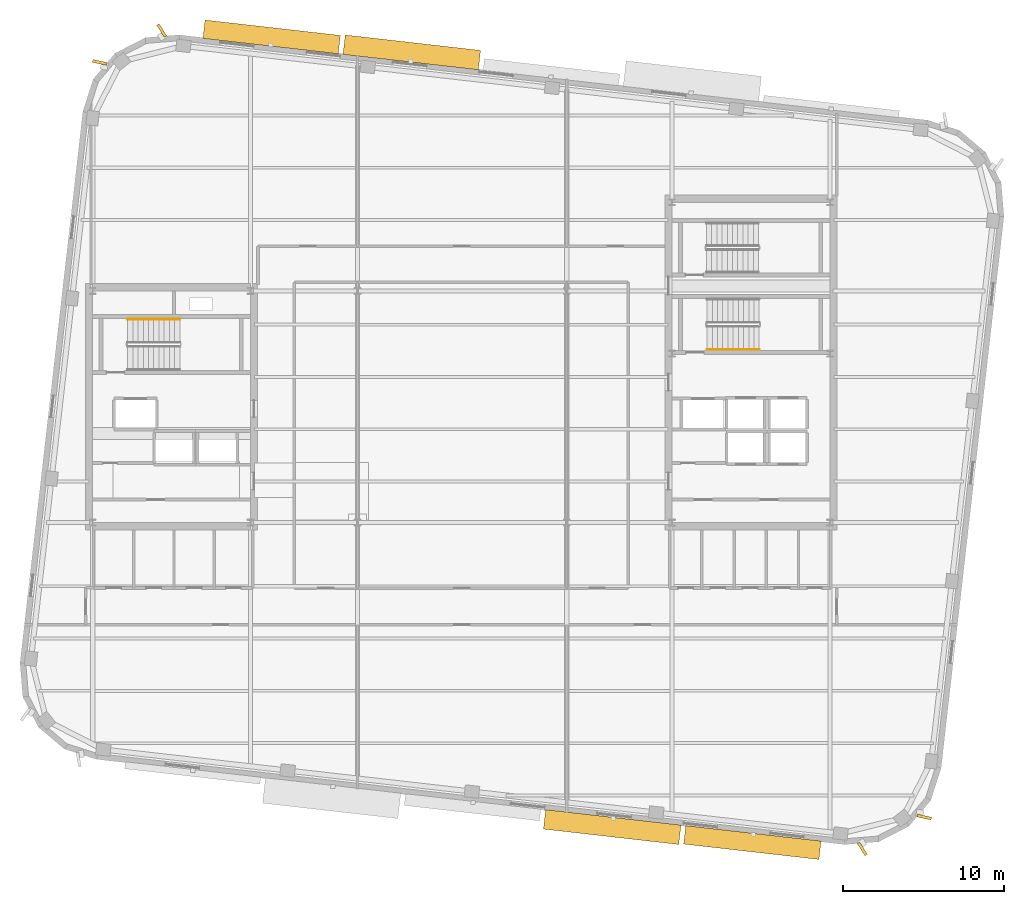
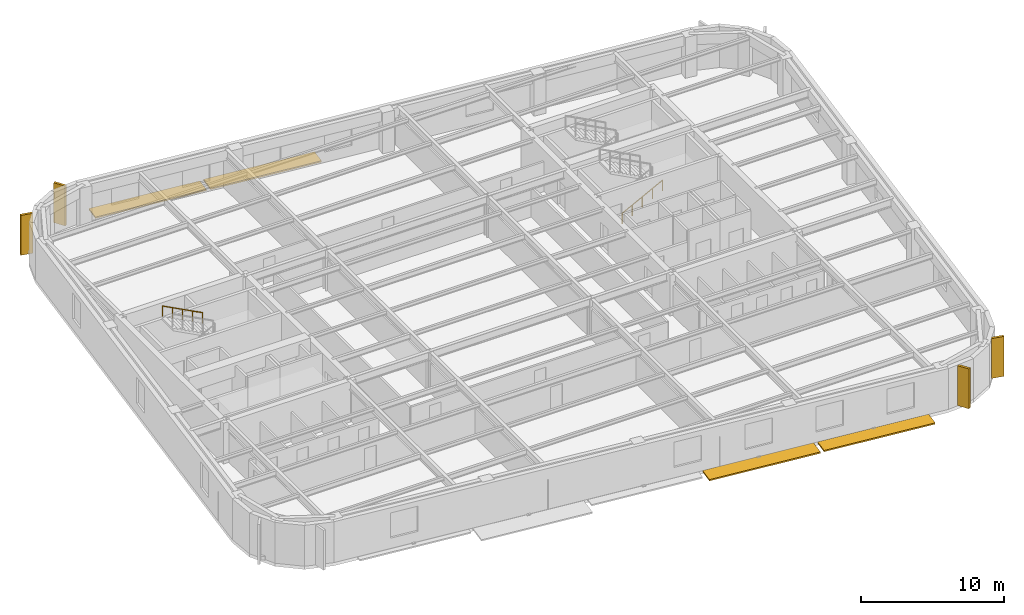
# One storey, part 12 of 14: 8 shading devices, 2 railings.
"""IFC4 building model written with IfcOpenShell, lengths in metres."""

from ifc_helpers import new_model, si_unit, direction, frame, origin, origin_2d, place, context, subcontext, project, spatial, rectangle, circle, extrude, material, type_object, element, save


model = new_model("IFC4")

# Units and contexts
model_context = context("Model", 3, precision=1e-05, world=origin(), true_north=direction((0.0, 1.0)))
body_context = subcontext(model_context, "Body", "Model", "MODEL_VIEW")
ifc_project = project(units=[si_unit("LENGTHUNIT", "METRE"), si_unit("AREAUNIT", "SQUARE_METRE"), si_unit("VOLUMEUNIT", "CUBIC_METRE"), si_unit("PLANEANGLEUNIT", "RADIAN"), si_unit("MASSUNIT", "GRAM", prefix="KILO")], contexts=[model_context])

# Site, building, storey
site_placement = place(None, origin())
site = spatial("IfcSite", under=ifc_project, at=site_placement, CompositionType="ELEMENT")
building_placement = place(site_placement, origin())
building = spatial("IfcBuilding", under=site, at=building_placement, Name="Kolvaren Arena Tower", CompositionType="ELEMENT")
storey_placement = place(building_placement, frame((0.0, 0.0, 235.949951171875)))
storey = spatial("IfcBuildingStorey", under=building, at=storey_placement, Name="L57", CompositionType="ELEMENT", Elevation=235.949951171875)

# Railings
ifc_material_1 = material(Name="Brushed stainless steel handrail", Category="steel")
railing_type = type_object("IfcRailingType", Name="HRAIL-900", PredefinedType="HANDRAIL", material=ifc_material_1)
railing_1_placement = place(storey_placement, frame((19.9599609375, 32.080078125, 2.04541015625)))
element("IfcRailing", 1, at=railing_1_placement, inside=storey, type_object=railing_type, Name="L57 ST-W1 stair handrail 2", PredefinedType="HANDRAIL", context=body_context, shape_type="SweptSolid", body=[
    extrude(circle(Radius=0.02392578125, at=origin_2d()), frame((0.0, 0.0, 0.8759765625), z_axis=(-0.884993431791, 0.0, 0.465603506952), x_axis=(0.0, -1.0, 0.0)), (0.0, 0.0, 1.0), 3.6611328125),
    extrude(circle(Radius=0.02099609375, at=origin_2d()), origin(), (0.0, 0.0, 1.0), 0.851806640625),
    extrude(circle(Radius=0.02099609375, at=origin_2d()), frame((-0.81005859375, 0.0, 0.42626953125)), (0.0, 0.0, 1.0), 0.851806640625),
    extrude(circle(Radius=0.02099609375, at=origin_2d()), frame((-1.6201171875, 0.0, 0.852294921875)), (0.0, 0.0, 1.0), 0.851806640625),
    extrude(circle(Radius=0.02099609375, at=origin_2d()), frame((-2.429931640625, 0.0, 1.2783203125)), (0.0, 0.0, 1.0), 0.851806640625),
    extrude(circle(Radius=0.02099609375, at=origin_2d()), frame((-3.239990234375, 0.0, 1.70458984375)), (0.0, 0.0, 1.0), 0.851806640625),
])
railing_2_placement = place(storey_placement, frame((52.719970703125, 30.199951171875, 0.17041015625)))
element("IfcRailing", 2, at=railing_2_placement, inside=storey, type_object=railing_type, Name="L57 ST-E1 stair handrail 1", PredefinedType="HANDRAIL", context=body_context, shape_type="SweptSolid", body=[
    extrude(circle(Radius=0.02392578125, at=origin_2d()), frame((0.0, 0.0, 0.8759765625), z_axis=(0.884993431791, 0.0, 0.465603506952), x_axis=(0.0, 1.0, 0.0)), (0.0, 0.0, 1.0), 3.6611328125),
    extrude(circle(Radius=0.02099609375, at=origin_2d()), origin(), (0.0, 0.0, 1.0), 0.851806640625),
    extrude(circle(Radius=0.02099609375, at=origin_2d()), frame((0.81005859375, 0.0, 0.42626953125)), (0.0, 0.0, 1.0), 0.851806640625),
    extrude(circle(Radius=0.02099609375, at=origin_2d()), frame((1.6201171875, 0.0, 0.852294921875)), (0.0, 0.0, 1.0), 0.851806640625),
    extrude(circle(Radius=0.02099609375, at=origin_2d()), frame((2.429931640625, 0.0, 1.2783203125)), (0.0, 0.0, 1.0), 0.851806640625),
    extrude(circle(Radius=0.02099609375, at=origin_2d()), frame((3.239990234375, 0.0, 1.70458984375)), (0.0, 0.0, 1.0), 0.851806640625),
])

# Shading devices
ifc_material_2 = material(Name="Precast architectural concrete C50/60 rib fin", Category="concrete")
shading_device_type_1 = type_object("IfcShadingDeviceType", Name="SHAD-FIN-28", PredefinedType="USERDEFINED", material=ifc_material_2)
for number, where, z_axis, x_axis, name in (
    (3, (62.365234375, -0.824951171875, 0.02001953125), (0.0, 0.0, 1.0), (0.540981810797, -0.84103429204, 0.0), "Precast 28-Deg Corner Rib Fin (L57)"),
    (4, (66.2138671875, 1.1572265625, 0.02001953125), (0.0, 0.0, 1.0), (0.977234439221, -0.21216232182, 0.0), "Precast 28-Deg Corner Rib Fin (L57)"),
    (5, (18.834716796875, 50.02490234375, 0.02001953125), (0.0, 0.0, 1.0), (-0.540981810797, 0.84103429204, 0.0), "Precast 28-Deg Corner Rib Fin (L57)"),
    (6, (14.986083984375, 48.042724609375, 0.02001953125), (0.0, 0.0, 1.0), (-0.977234439221, 0.21216232182, 0.0), "Precast 28-Deg Corner Rib Fin (L57)"),
):
    element("IfcShadingDevice", number, at=place(storey_placement, frame(where, z_axis=z_axis, x_axis=x_axis)), inside=storey, type_object=shading_device_type_1, Name=name, ObjectType="FIN", PredefinedType="USERDEFINED", context=body_context, shape_type="SweptSolid", body=[
        extrude(rectangle(XDim=0.89990234375, YDim=0.179931640625, at=origin_2d()), origin(), (0.0, 0.0, 1.0), 3.39990234375),
    ])
ifc_material_3 = material(Name="Architectural precast GFRC and anodised aluminium sunshade", Category="concrete")
shading_device_type_2 = type_object("IfcShadingDeviceType", Name="SHAD-SINE-A", PredefinedType="USERDEFINED", material=ifc_material_3)
shading_device_1_placement = place(storey_placement, frame((25.667236328125, 49.627197265625, -0.139892578125), z_axis=(0.0, 0.0, 1.0), x_axis=(0.993571658098, -0.113204947878, 0.0)))
element("IfcShadingDevice", 7, at=shading_device_1_placement, inside=storey, type_object=shading_device_type_2, Name="Sinusoidal Slab-Edge Sunshade Louvre (L57)", ObjectType="LOUVRE", PredefinedType="USERDEFINED", context=body_context, shape_type="SweptSolid", body=[
    extrude(rectangle(XDim=8.4599609375, YDim=1.151611328125, at=origin_2d()), origin(), (0.0, 0.0, 1.0), 0.1201171875),
])
shading_device_2_placement = place(storey_placement, frame((34.37451171875, 48.666259765625, -0.139892578125), z_axis=(0.0, 0.0, 1.0), x_axis=(0.993571658098, -0.113204947878, 0.0)))
element("IfcShadingDevice", 8, at=shading_device_2_placement, inside=storey, type_object=shading_device_type_2, Name="Sinusoidal Slab-Edge Sunshade Louvre (L57)", ObjectType="LOUVRE", PredefinedType="USERDEFINED", context=body_context, shape_type="SweptSolid", body=[
    extrude(rectangle(XDim=8.4599609375, YDim=1.213623046875, at=origin_2d()), origin(), (0.0, 0.0, 1.0), 0.1201171875),
])
shading_device_3_placement = place(storey_placement, frame((55.53271484375, -0.42724609375, -0.139892578125), z_axis=(0.0, 0.0, 1.0), x_axis=(-0.993571658098, 0.113204947878, 0.0)))
element("IfcShadingDevice", 9, at=shading_device_3_placement, inside=storey, type_object=shading_device_type_2, Name="Sinusoidal Slab-Edge Sunshade Louvre (L57)", ObjectType="LOUVRE", PredefinedType="USERDEFINED", context=body_context, shape_type="SweptSolid", body=[
    extrude(rectangle(XDim=8.4599609375, YDim=1.151611328125, at=origin_2d()), origin(), (0.0, 0.0, 1.0), 0.1201171875),
])
shading_device_4_placement = place(storey_placement, frame((46.82568359375, 0.53369140625, -0.139892578125), z_axis=(0.0, 0.0, 1.0), x_axis=(-0.993571658098, 0.113204947878, 0.0)))
element("IfcShadingDevice", 10, at=shading_device_4_placement, inside=storey, type_object=shading_device_type_2, Name="Sinusoidal Slab-Edge Sunshade Louvre (L57)", ObjectType="LOUVRE", PredefinedType="USERDEFINED", context=body_context, shape_type="SweptSolid", body=[
    extrude(rectangle(XDim=8.4599609375, YDim=1.213623046875, at=origin_2d()), origin(), (0.0, 0.0, 1.0), 0.1201171875),
])

save(model, "model.ifc")
